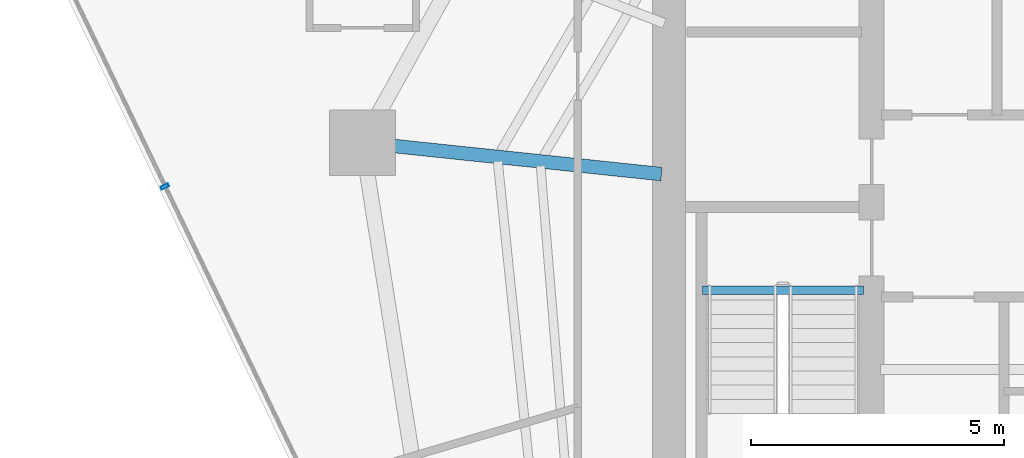
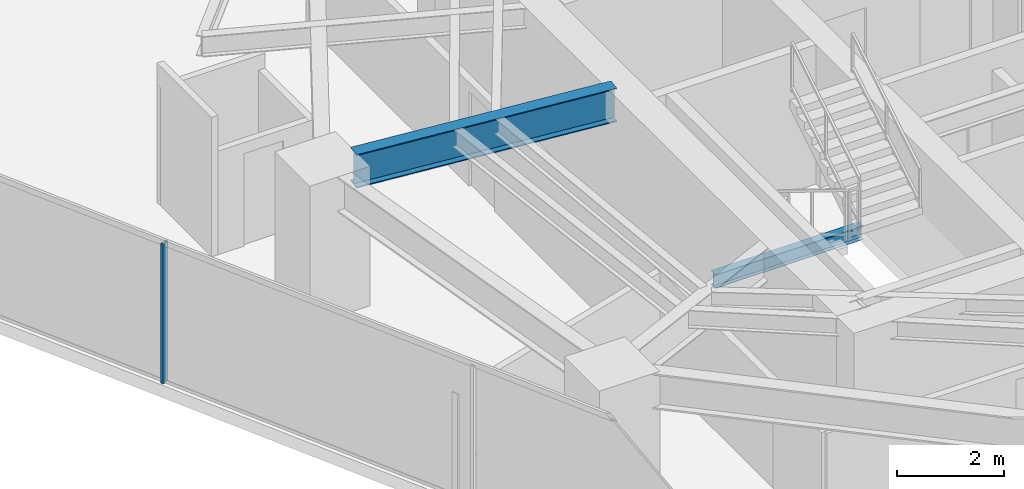
# One storey, part 9 of 30: 2 beams, 1 member, 1 element without a shape of its own.
"""IFC4 building model written with IfcOpenShell, lengths in metres."""

from ifc_helpers import new_model, si_unit, direction, frame, origin, origin_2d, place, context, subcontext, project, spatial, hollow_rectangle, i_section, extrude, material, layer, layer_set, material_profile, profile_set, type_object, element, aggregate, save


model = new_model("IFC4")

# Units and contexts
model_context = context("Model", 3, precision=1e-05, world=origin(), true_north=direction((0.0, 1.0)))
body_context = subcontext(model_context, "Body", "Model", "MODEL_VIEW")
ifc_project = project(units=[si_unit("LENGTHUNIT", "METRE"), si_unit("AREAUNIT", "SQUARE_METRE"), si_unit("VOLUMEUNIT", "CUBIC_METRE"), si_unit("PLANEANGLEUNIT", "RADIAN"), si_unit("MASSUNIT", "GRAM", prefix="KILO")], contexts=[model_context])

# Site, building, storey
site_placement = place(None, origin())
site = spatial("IfcSite", under=ifc_project, at=site_placement, CompositionType="ELEMENT")
building_placement = place(site_placement, origin())
building = spatial("IfcBuilding", under=site, at=building_placement, Name="Qarnah Convention Tower", CompositionType="ELEMENT")
storey_placement = place(building_placement, frame((0.0, 0.0, 51.14990234375)))
storey = spatial("IfcBuildingStorey", under=building, at=storey_placement, Name="L12", CompositionType="ELEMENT", Elevation=51.14990234375)

# Beams
ifc_material_1 = material(Name="Structural steel S355JR", Category="steel")
ifc_material_profile_1 = material_profile(ifc_material_1, i_section(OverallWidth=0.166015625, OverallDepth=0.31201171875, WebThickness=0.007080078125, FlangeThickness=0.010986328125, at=origin_2d()), Name="W310X45")
ifc_profile_set_1 = profile_set([ifc_material_profile_1], Name="Structural steel S355JR")
beam_type_1 = type_object("IfcBeamType", Name="BM-JST-W310", PredefinedType="JOIST", material=ifc_profile_set_1)
beam_1_placement = place(storey_placement, frame((27.4599609375, 25.217041015625, -0.156005859375), z_axis=(1.0, 0.0, 0.0), x_axis=(0.0, 1.0, 0.0)))
element("IfcBeam", 1, at=beam_1_placement, inside=storey, type_object=beam_type_1, Name="L12 stair landing trimmer beam BM-L12-ST1-TRM", PredefinedType="BEAM", context=body_context, shape_type="SweptSolid", body=[
    extrude(i_section(OverallWidth=0.166015625, OverallDepth=0.31201171875, WebThickness=0.007080078125, FlangeThickness=0.010986328125, at=origin_2d()), origin(), (0.0, 0.0, 1.0), 3.179931640625),
])
ifc_material_profile_2 = material_profile(ifc_material_1, i_section(OverallWidth=0.26806640625, OverallDepth=0.760009765625, WebThickness=0.014892578125, FlangeThickness=0.02197265625, at=origin_2d()), Name="W760X185")
ifc_profile_set_2 = profile_set([ifc_material_profile_2], Name="Structural steel S355JR")
beam_type_2 = type_object("IfcBeamType", Name="BM-RAD-W760", PredefinedType="BEAM", material=ifc_profile_set_2)
beam_2_placement = place(storey_placement, frame((26.65087890625, 27.509033203125, 2.7900390625), z_axis=(-0.99452834613, 0.10446707014, 0.0), x_axis=(-0.10446707014, -0.99452834613, 0.0)))
element("IfcBeam", 2, at=beam_2_placement, inside=storey, type_object=beam_type_2, Name="L12 beam BM-L12-RAD-05", PredefinedType="BEAM", context=body_context, shape_type="SweptSolid", body=[
    extrude(i_section(OverallWidth=0.26806640625, OverallDepth=0.760009765625, WebThickness=0.014892578125, FlangeThickness=0.02197265625, at=origin_2d()), origin(), (0.0, 0.0, 1.0), 5.31201171875),
])

# Curtain wall, member
ifc_material_2 = material(Name="Tempered Low-E dark glass", Category="glass")
ifc_layer = layer(ifc_material_2, 0.16796875)
ifc_layer_set = layer_set([ifc_layer], Name="Tempered Low-E dark glass")
curtain_wall_type = type_object("IfcCurtainWallType", Name="CWS-01", PredefinedType="NOTDEFINED", material=ifc_layer_set)
curtain_wall_placement = place(storey_placement, origin())
curtain_wall = element("IfcCurtainWall", 3, at=curtain_wall_placement, inside=storey, type_object=curtain_wall_type, Name="L12 unitised curtain wall CW-L12-F1", PredefinedType="NOTDEFINED")
ifc_material_3 = material(Name="Black anodised aluminium", Category="aluminium")
ifc_material_profile_3 = material_profile(ifc_material_3, hollow_rectangle(XDim=0.06005859375, YDim=0.159912109375, WallThickness=0.00390625, at=origin_2d()), Name="MUL-60X160")
ifc_profile_set_3 = profile_set([ifc_material_profile_3], Name="Black anodised aluminium")
member_type = type_object("IfcMemberType", Name="MUL-T1", PredefinedType="MULLION", material=ifc_profile_set_3)
member_placement = place(storey_placement, frame((16.839599609375, 27.264404296875, 0.0), z_axis=(0.0, 0.0, 1.0), x_axis=(-0.433348502492, 0.901226428479, 0.0)))
member = element("IfcMember", 4, at=member_placement, type_object=member_type, Name="CW-L12-F1 mullion 5", PredefinedType="MULLION", context=body_context, shape_type="SweptSolid", body=[
    extrude(hollow_rectangle(XDim=0.06005859375, YDim=0.159912109375, WallThickness=0.00390625, at=origin_2d()), origin(), (0.0, 0.0, 1.0), 3.170166015625),
])
aggregate(curtain_wall, [member])

save(model, "model.ifc")
